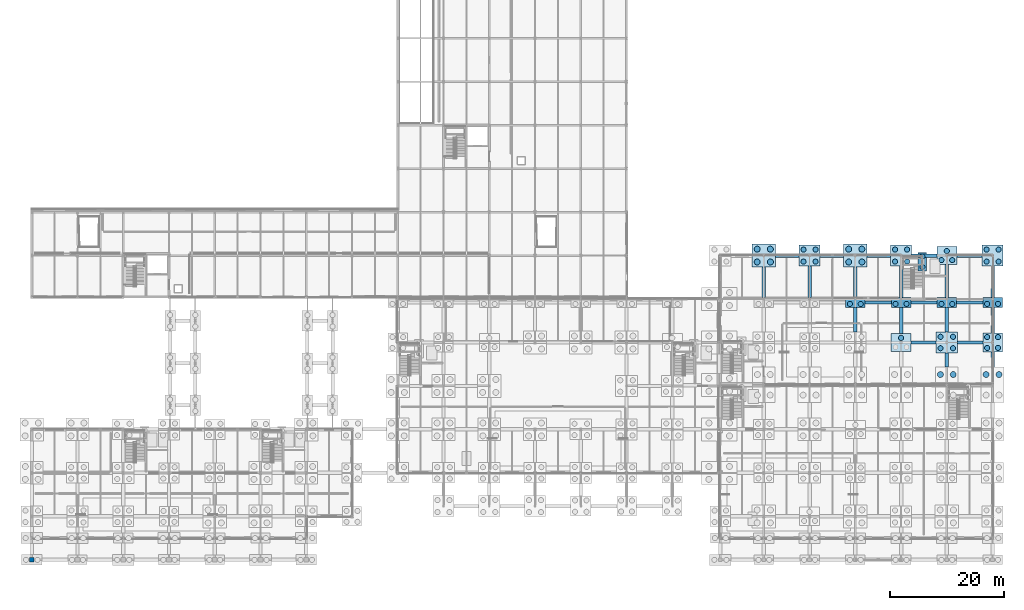
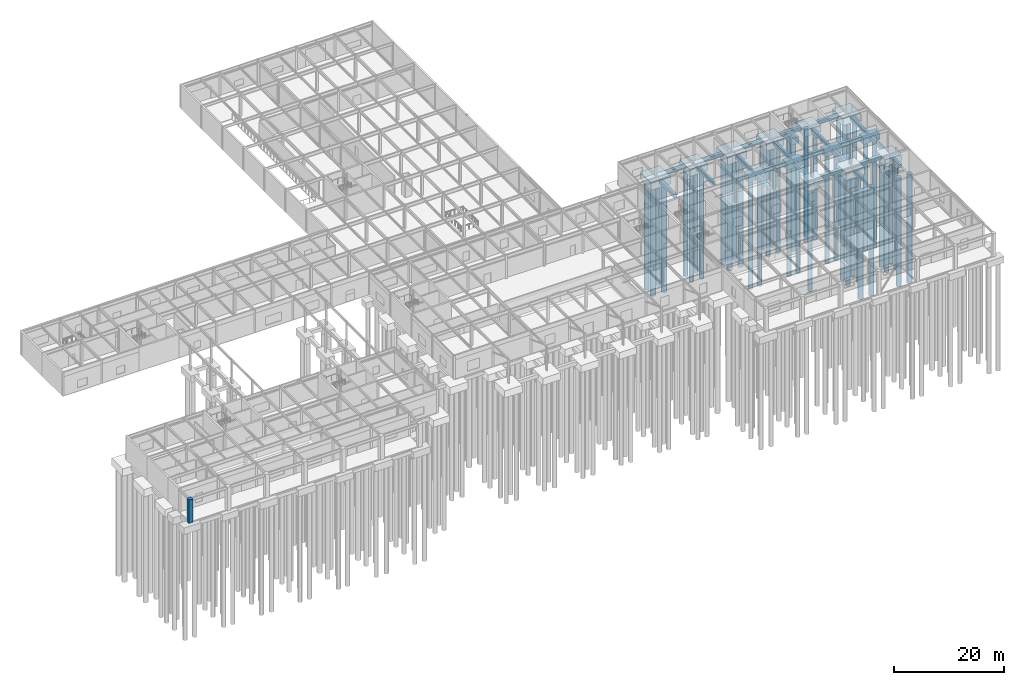
# One storey, part 7 of 62: 46 piles, 36 footings, 1 column.
"""IFC4 building model written with IfcOpenShell, lengths in metres."""

from ifc_helpers import new_model, si_unit, direction, frame, origin, origin_2d, place, context, subcontext, project, spatial, rectangle, circle, extrude, material, material_profile, profile_set, type_object, element, save


model = new_model("IFC4")

# Units and contexts
model_context = context("Model", 3, precision=1e-05, world=origin(), true_north=direction((0.0, 1.0)))
body_context = subcontext(model_context, "Body", "Model", "MODEL_VIEW")
ifc_project = project(units=[si_unit("LENGTHUNIT", "METRE"), si_unit("AREAUNIT", "SQUARE_METRE"), si_unit("VOLUMEUNIT", "CUBIC_METRE"), si_unit("PLANEANGLEUNIT", "RADIAN"), si_unit("MASSUNIT", "GRAM", prefix="KILO")], contexts=[model_context])

# Site, building, storey
site_placement = place(None, origin())
site = spatial("IfcSite", under=ifc_project, at=site_placement, CompositionType="ELEMENT")
building_placement = place(site_placement, origin())
building = spatial("IfcBuilding", under=site, at=building_placement, Name="Zulena Civic Courthouse", CompositionType="ELEMENT")
storey_placement = place(building_placement, origin())
storey = spatial("IfcBuildingStorey", under=building, at=storey_placement, Name="L00", CompositionType="ELEMENT", Elevation=0.0)

# Piles
ifc_material_1 = material(Name="Concrete C40/50", Category="concrete")
ifc_material_profile_1 = material_profile(ifc_material_1, circle(Radius=0.52490234375, at=origin_2d()), Name="PILE1050")
ifc_profile_set_1 = profile_set([ifc_material_profile_1], Name="Concrete C40/50")
pile_type_1 = type_object("IfcPileType", Name="BoredPile_1050", PredefinedType="BORED", material=ifc_profile_set_1)
for number, where, z_axis, x_axis, name in (
    (1, (130.85009765625, 52.074951171875, -1.780029296875), (0.0, 0.0, -1.0), (1.0, 0.0, 0.0), "pile:L00:107:1"),
    (2, (133.14990234375, 52.074951171875, -1.780029296875), (0.0, 0.0, -1.0), (1.0, 0.0, 0.0), "pile:L00:107:2"),
    (3, (130.85009765625, 54.324951171875, -1.780029296875), (0.0, 0.0, -1.0), (1.0, 0.0, 0.0), "pile:L00:107:3"),
    (4, (133.14990234375, 54.324951171875, -1.780029296875), (0.0, 0.0, -1.0), (1.0, 0.0, 0.0), "pile:L00:107:4"),
    (5, (146.85009765625, 52.074951171875, -1.780029296875), (0.0, 0.0, -1.0), (1.0, 0.0, 0.0), "pile:L00:125:1"),
    (6, (149.14990234375, 52.074951171875, -1.780029296875), (0.0, 0.0, -1.0), (1.0, 0.0, 0.0), "pile:L00:125:2"),
    (7, (146.85009765625, 54.324951171875, -1.780029296875), (0.0, 0.0, -1.0), (1.0, 0.0, 0.0), "pile:L00:125:3"),
    (8, (149.14990234375, 54.324951171875, -1.780029296875), (0.0, 0.0, -1.0), (1.0, 0.0, 0.0), "pile:L00:125:4"),
    (9, (162.875, 32.39990234375, -1.780029296875), (0.0, 0.0, -1.0), (1.0, 0.0, 0.0), "pile:L00:140:3"),
    (10, (165.125, 32.39990234375, -1.780029296875), (0.0, 0.0, -1.0), (1.0, 0.0, 0.0), "pile:L00:140:4"),
    (11, (170.875, 32.39990234375, -1.780029296875), (0.0, 0.0, -1.0), (1.0, 0.0, 0.0), "pile:L00:149:3"),
    (12, (173.125, 32.39990234375, -1.780029296875), (0.0, 0.0, -1.0), (1.0, 0.0, 0.0), "pile:L00:149:4"),
):
    element("IfcPile", number, at=place(storey_placement, frame(where, z_axis=z_axis, x_axis=x_axis)), inside=storey, type_object=pile_type_1, Name=name, PredefinedType="BORED", context=body_context, shape_type="SweptSolid", body=[
        extrude(circle(Radius=0.52490234375, at=origin_2d()), origin(), (0.0, 0.0, 1.0), 24.0),
    ])
ifc_material_profile_2 = material_profile(ifc_material_1, circle(Radius=0.449951171875, at=origin_2d()), Name="PILE900")
ifc_profile_set_2 = profile_set([ifc_material_profile_2], Name="Concrete C40/50")
pile_type_2 = type_object("IfcPileType", Name="BoredPile_900", PredefinedType="BORED", material=ifc_profile_set_2)
for number, where, z_axis, x_axis, name in (
    (13, (138.949951171875, 52.14990234375, -1.679931640625), (0.0, 0.0, -1.0), (1.0, 0.0, 0.0), "pile:L00:116:1"),
    (14, (141.050048828125, 52.14990234375, -1.679931640625), (0.0, 0.0, -1.0), (1.0, 0.0, 0.0), "pile:L00:116:2"),
    (15, (138.949951171875, 54.25, -1.679931640625), (0.0, 0.0, -1.0), (1.0, 0.0, 0.0), "pile:L00:116:3"),
    (16, (141.050048828125, 54.25, -1.679931640625), (0.0, 0.0, -1.0), (1.0, 0.0, 0.0), "pile:L00:116:4"),
    (17, (147.050048828125, 44.75, -1.530029296875), (0.0, 0.0, -1.0), (1.0, 0.0, 0.0), "pile:L00:124:1"),
    (18, (148.949951171875, 44.75, -1.530029296875), (0.0, 0.0, -1.0), (1.0, 0.0, 0.0), "pile:L00:124:2"),
    (19, (156.0, 38.800048828125, -1.580078125), (0.0, 0.0, -1.0), (1.0, 0.0, 0.0), "pile:L00:132:3"),
    (20, (155.050048828125, 44.75, -1.530029296875), (0.0, 0.0, -1.0), (1.0, 0.0, 0.0), "pile:L00:133:1"),
    (21, (156.949951171875, 44.75, -1.530029296875), (0.0, 0.0, -1.0), (1.0, 0.0, 0.0), "pile:L00:133:2"),
    (22, (154.949951171875, 52.14990234375, -1.679931640625), (0.0, 0.0, -1.0), (1.0, 0.0, 0.0), "pile:L00:134:1"),
    (23, (157.050048828125, 52.14990234375, -1.679931640625), (0.0, 0.0, -1.0), (1.0, 0.0, 0.0), "pile:L00:134:2"),
    (24, (154.949951171875, 54.25, -1.679931640625), (0.0, 0.0, -1.0), (1.0, 0.0, 0.0), "pile:L00:134:3"),
    (25, (157.050048828125, 54.25, -1.679931640625), (0.0, 0.0, -1.0), (1.0, 0.0, 0.0), "pile:L00:134:4"),
    (26, (162.89990234375, 37.0, -1.72998046875), (0.0, 0.0, -1.0), (1.0, 0.0, 0.0), "pile:L00:141:1"),
    (27, (165.10009765625, 37.0, -1.72998046875), (0.0, 0.0, -1.0), (1.0, 0.0, 0.0), "pile:L00:141:2"),
    (28, (162.89990234375, 39.0, -1.72998046875), (0.0, 0.0, -1.0), (1.0, 0.0, 0.0), "pile:L00:141:3"),
    (29, (165.10009765625, 39.0, -1.72998046875), (0.0, 0.0, -1.0), (1.0, 0.0, 0.0), "pile:L00:141:4"),
    (30, (163.050048828125, 44.75, -1.530029296875), (0.0, 0.0, -1.0), (1.0, 0.0, 0.0), "pile:L00:142:1"),
    (31, (164.949951171875, 44.75, -1.530029296875), (0.0, 0.0, -1.0), (1.0, 0.0, 0.0), "pile:L00:142:2"),
    (32, (163.050048828125, 52.39990234375, -1.580078125), (0.0, 0.0, -1.0), (1.0, 0.0, 0.0), "pile:L00:143:1"),
    (33, (164.949951171875, 52.39990234375, -1.580078125), (0.0, 0.0, -1.0), (1.0, 0.0, 0.0), "pile:L00:143:2"),
    (34, (164.0, 54.0, -1.580078125), (0.0, 0.0, -1.0), (1.0, 0.0, 0.0), "pile:L00:143:3"),
    (35, (171.050048828125, 37.050048828125, -1.6298828125), (0.0, 0.0, -1.0), (1.0, 0.0, 0.0), "pile:L00:150:1"),
    (36, (172.949951171875, 37.050048828125, -1.6298828125), (0.0, 0.0, -1.0), (1.0, 0.0, 0.0), "pile:L00:150:2"),
    (37, (171.050048828125, 38.949951171875, -1.6298828125), (0.0, 0.0, -1.0), (1.0, 0.0, 0.0), "pile:L00:150:3"),
    (38, (172.949951171875, 38.949951171875, -1.6298828125), (0.0, 0.0, -1.0), (1.0, 0.0, 0.0), "pile:L00:150:4"),
    (39, (171.050048828125, 44.75, -1.530029296875), (0.0, 0.0, -1.0), (1.0, 0.0, 0.0), "pile:L00:151:1"),
    (40, (172.949951171875, 44.75, -1.530029296875), (0.0, 0.0, -1.0), (1.0, 0.0, 0.0), "pile:L00:151:2"),
    (41, (170.949951171875, 52.14990234375, -1.679931640625), (0.0, 0.0, -1.0), (1.0, 0.0, 0.0), "pile:L00:152:1"),
    (42, (173.050048828125, 52.14990234375, -1.679931640625), (0.0, 0.0, -1.0), (1.0, 0.0, 0.0), "pile:L00:152:2"),
    (43, (170.949951171875, 54.25, -1.679931640625), (0.0, 0.0, -1.0), (1.0, 0.0, 0.0), "pile:L00:152:3"),
    (44, (173.050048828125, 54.25, -1.679931640625), (0.0, 0.0, -1.0), (1.0, 0.0, 0.0), "pile:L00:152:4"),
    (45, (159.719970703125, 51.219970703125, -1.530029296875), (0.0, 0.0, -1.0), (1.0, 0.0, 0.0), "pile:stair:L00:06:1"),
    (46, (159.719970703125, 53.02001953125, -1.530029296875), (0.0, 0.0, -1.0), (1.0, 0.0, 0.0), "pile:stair:L00:06:2"),
):
    element("IfcPile", number, at=place(storey_placement, frame(where, z_axis=z_axis, x_axis=x_axis)), inside=storey, type_object=pile_type_2, Name=name, PredefinedType="BORED", context=body_context, shape_type="SweptSolid", body=[
        extrude(circle(Radius=0.449951171875, at=origin_2d()), origin(), (0.0, 0.0, 1.0), 24.0),
    ])

# Footings
ifc_material_2 = material(Name="Concrete C35/45", Category="concrete")
ifc_material_profile_3 = material_profile(ifc_material_2, rectangle(XDim=0.60009765625, YDim=0.800048828125, at=origin_2d()), Name="RC600X800")
ifc_profile_set_3 = profile_set([ifc_material_profile_3], Name="Concrete C35/45")
footing_type_1 = type_object("IfcFootingType", Name="GroundBeam_600x800", PredefinedType="FOOTING_BEAM", material=ifc_profile_set_3)
footing_1_placement = place(storey_placement, frame((157.75, 38.0, -0.6298828125), z_axis=(1.0, 0.0, 0.0), x_axis=(0.0, 1.0, 0.0)))
element("IfcFooting", 47, at=footing_1_placement, inside=storey, type_object=footing_type_1, Name="gbeam:X:L00:110", PredefinedType="FOOTING_BEAM", context=body_context, shape_type="SweptSolid", body=[
    extrude(rectangle(XDim=0.60009765625, YDim=0.800048828125, at=origin_2d()), origin(), (0.0, 0.0, 1.0), 4.35009765625),
])
footing_2_placement = place(storey_placement, frame((165.89990234375, 38.0, -0.6298828125), z_axis=(1.0, 0.0, 0.0), x_axis=(0.0, 1.0, 0.0)))
element("IfcFooting", 48, at=footing_2_placement, inside=storey, type_object=footing_type_1, Name="gbeam:X:L00:111", PredefinedType="FOOTING_BEAM", context=body_context, shape_type="SweptSolid", body=[
    extrude(rectangle(XDim=0.60009765625, YDim=0.800048828125, at=origin_2d()), origin(), (0.0, 0.0, 1.0), 4.400146484375),
])
for number, where, z_axis, x_axis, name in (
    (49, (149.699951171875, 45.0, -0.6298828125), (1.0, 0.0, 0.0), (0.0, 1.0, 0.0), "gbeam:X:L00:122"),
    (50, (157.699951171875, 45.0, -0.6298828125), (1.0, 0.0, 0.0), (0.0, 1.0, 0.0), "gbeam:X:L00:123"),
    (51, (165.699951171875, 45.0, -0.6298828125), (1.0, 0.0, 0.0), (0.0, 1.0, 0.0), "gbeam:X:L00:124"),
):
    element("IfcFooting", number, at=place(storey_placement, frame(where, z_axis=z_axis, x_axis=x_axis)), inside=storey, type_object=footing_type_1, Name=name, PredefinedType="FOOTING_BEAM", context=body_context, shape_type="SweptSolid", body=[
        extrude(rectangle(XDim=0.60009765625, YDim=0.800048828125, at=origin_2d()), origin(), (0.0, 0.0, 1.0), 4.60009765625),
    ])
for number, where, z_axis, x_axis, name in (
    (52, (134.050048828125, 53.199951171875, -0.6298828125), (1.0, 0.0, 0.0), (0.0, 1.0, 0.0), "gbeam:X:L00:126"),
    (53, (141.85009765625, 53.199951171875, -0.6298828125), (1.0, 0.0, 0.0), (0.0, 1.0, 0.0), "gbeam:X:L00:127"),
    (54, (150.050048828125, 53.199951171875, -0.6298828125), (1.0, 0.0, 0.0), (0.0, 1.0, 0.0), "gbeam:X:L00:128"),
):
    element("IfcFooting", number, at=place(storey_placement, frame(where, z_axis=z_axis, x_axis=x_axis)), inside=storey, type_object=footing_type_1, Name=name, PredefinedType="FOOTING_BEAM", context=body_context, shape_type="SweptSolid", body=[
        extrude(rectangle(XDim=0.60009765625, YDim=0.800048828125, at=origin_2d()), origin(), (0.0, 0.0, 1.0), 4.099853515625),
    ])
for number, where, z_axis, x_axis, name in (
    (55, (157.85009765625, 53.199951171875, -0.6298828125), (1.0, 0.0, 0.0), (0.0, 1.0, 0.0), "gbeam:X:L00:129"),
    (56, (165.75, 53.199951171875, -0.6298828125), (1.0, 0.0, 0.0), (0.0, 1.0, 0.0), "gbeam:X:L00:130"),
):
    element("IfcFooting", number, at=place(storey_placement, frame(where, z_axis=z_axis, x_axis=x_axis)), inside=storey, type_object=footing_type_1, Name=name, PredefinedType="FOOTING_BEAM", context=body_context, shape_type="SweptSolid", body=[
        extrude(rectangle(XDim=0.60009765625, YDim=0.800048828125, at=origin_2d()), origin(), (0.0, 0.0, 1.0), 4.39990234375),
    ])
footing_3_placement = place(storey_placement, frame((132.0, 45.85009765625, -0.6298828125), z_axis=(0.0, 1.0, 0.0), x_axis=(-1.0, 0.0, 0.0)))
element("IfcFooting", 57, at=footing_3_placement, inside=storey, type_object=footing_type_1, Name="gbeam:Y:L00:210", PredefinedType="FOOTING_BEAM", context=body_context, shape_type="SweptSolid", body=[
    extrude(rectangle(XDim=0.60009765625, YDim=0.800048828125, at=origin_2d()), origin(), (0.0, 0.0, 1.0), 5.349853515625),
])
footing_4_placement = place(storey_placement, frame((140.0, 45.85009765625, -0.6298828125), z_axis=(0.0, 1.0, 0.0), x_axis=(-1.0, 0.0, 0.0)))
element("IfcFooting", 58, at=footing_4_placement, inside=storey, type_object=footing_type_1, Name="gbeam:Y:L00:218", PredefinedType="FOOTING_BEAM", context=body_context, shape_type="SweptSolid", body=[
    extrude(rectangle(XDim=0.60009765625, YDim=0.800048828125, at=origin_2d()), origin(), (0.0, 0.0, 1.0), 5.5),
])
footing_5_placement = place(storey_placement, frame((148.0, 39.800048828125, -0.6298828125), z_axis=(0.0, 1.0, 0.0), x_axis=(-1.0, 0.0, 0.0)))
element("IfcFooting", 59, at=footing_5_placement, inside=storey, type_object=footing_type_1, Name="gbeam:Y:L00:224", PredefinedType="FOOTING_BEAM", context=body_context, shape_type="SweptSolid", body=[
    extrude(rectangle(XDim=0.60009765625, YDim=0.800048828125, at=origin_2d()), origin(), (0.0, 0.0, 1.0), 4.349853515625),
])
footing_6_placement = place(storey_placement, frame((148.0, 45.85009765625, -0.6298828125), z_axis=(0.0, 1.0, 0.0), x_axis=(-1.0, 0.0, 0.0)))
element("IfcFooting", 60, at=footing_6_placement, inside=storey, type_object=footing_type_1, Name="gbeam:Y:L00:225", PredefinedType="FOOTING_BEAM", context=body_context, shape_type="SweptSolid", body=[
    extrude(rectangle(XDim=0.60009765625, YDim=0.800048828125, at=origin_2d()), origin(), (0.0, 0.0, 1.0), 5.349853515625),
])
footing_7_placement = place(storey_placement, frame((156.0, 39.60009765625, -0.6298828125), z_axis=(0.0, 1.0, 0.0), x_axis=(-1.0, 0.0, 0.0)))
element("IfcFooting", 61, at=footing_7_placement, inside=storey, type_object=footing_type_1, Name="gbeam:Y:L00:232", PredefinedType="FOOTING_BEAM", context=body_context, shape_type="SweptSolid", body=[
    extrude(rectangle(XDim=0.60009765625, YDim=0.800048828125, at=origin_2d()), origin(), (0.0, 0.0, 1.0), 4.5498046875),
])
footing_8_placement = place(storey_placement, frame((156.0, 45.85009765625, -0.6298828125), z_axis=(0.0, 1.0, 0.0), x_axis=(-1.0, 0.0, 0.0)))
element("IfcFooting", 62, at=footing_8_placement, inside=storey, type_object=footing_type_1, Name="gbeam:Y:L00:233", PredefinedType="FOOTING_BEAM", context=body_context, shape_type="SweptSolid", body=[
    extrude(rectangle(XDim=0.60009765625, YDim=0.800048828125, at=origin_2d()), origin(), (0.0, 0.0, 1.0), 5.5),
])
footing_9_placement = place(storey_placement, frame((164.0, 33.699951171875, -0.6298828125), z_axis=(0.0, 1.0, 0.0), x_axis=(-1.0, 0.0, 0.0)))
element("IfcFooting", 63, at=footing_9_placement, inside=storey, type_object=footing_type_1, Name="gbeam:Y:L00:238", PredefinedType="FOOTING_BEAM", context=body_context, shape_type="SweptSolid", body=[
    extrude(rectangle(XDim=0.60009765625, YDim=0.800048828125, at=origin_2d()), origin(), (0.0, 0.0, 1.0), 2.5),
])
footing_10_placement = place(storey_placement, frame((164.0, 39.800048828125, -0.6298828125), z_axis=(0.0, 1.0, 0.0), x_axis=(-1.0, 0.0, 0.0)))
element("IfcFooting", 64, at=footing_10_placement, inside=storey, type_object=footing_type_1, Name="gbeam:Y:L00:239", PredefinedType="FOOTING_BEAM", context=body_context, shape_type="SweptSolid", body=[
    extrude(rectangle(XDim=0.60009765625, YDim=0.800048828125, at=origin_2d()), origin(), (0.0, 0.0, 1.0), 4.349853515625),
])
footing_11_placement = place(storey_placement, frame((164.0, 45.85009765625, -0.6298828125), z_axis=(0.0, 1.0, 0.0), x_axis=(-1.0, 0.0, 0.0)))
element("IfcFooting", 65, at=footing_11_placement, inside=storey, type_object=footing_type_1, Name="gbeam:Y:L00:240", PredefinedType="FOOTING_BEAM", context=body_context, shape_type="SweptSolid", body=[
    extrude(rectangle(XDim=0.60009765625, YDim=0.800048828125, at=origin_2d()), origin(), (0.0, 0.0, 1.0), 5.75),
])
footing_12_placement = place(storey_placement, frame((172.0, 33.699951171875, -0.6298828125), z_axis=(0.0, 1.0, 0.0), x_axis=(-1.0, 0.0, 0.0)))
element("IfcFooting", 66, at=footing_12_placement, inside=storey, type_object=footing_type_1, Name="gbeam:Y:L00:246", PredefinedType="FOOTING_BEAM", context=body_context, shape_type="SweptSolid", body=[
    extrude(rectangle(XDim=0.60009765625, YDim=0.800048828125, at=origin_2d()), origin(), (0.0, 0.0, 1.0), 2.60009765625),
])
footing_13_placement = place(storey_placement, frame((172.0, 39.699951171875, -0.6298828125), z_axis=(0.0, 1.0, 0.0), x_axis=(-1.0, 0.0, 0.0)))
element("IfcFooting", 67, at=footing_13_placement, inside=storey, type_object=footing_type_1, Name="gbeam:Y:L00:247", PredefinedType="FOOTING_BEAM", context=body_context, shape_type="SweptSolid", body=[
    extrude(rectangle(XDim=0.60009765625, YDim=0.800048828125, at=origin_2d()), origin(), (0.0, 0.0, 1.0), 4.449951171875),
])
footing_14_placement = place(storey_placement, frame((172.0, 45.85009765625, -0.6298828125), z_axis=(0.0, 1.0, 0.0), x_axis=(-1.0, 0.0, 0.0)))
element("IfcFooting", 68, at=footing_14_placement, inside=storey, type_object=footing_type_1, Name="gbeam:Y:L00:248", PredefinedType="FOOTING_BEAM", context=body_context, shape_type="SweptSolid", body=[
    extrude(rectangle(XDim=0.60009765625, YDim=0.800048828125, at=origin_2d()), origin(), (0.0, 0.0, 1.0), 5.5),
])
footing_type_2 = type_object("IfcFootingType", Name="PileCap_2P_1500x3200", PredefinedType="PILE_CAP", material=ifc_material_1)
footing_15_placement = place(storey_placement, frame((159.719970703125, 52.1201171875, -1.6298828125), z_axis=(0.0, 0.0, 1.0), x_axis=(1.0, 0.0, 0.0)))
element("IfcFooting", 69, at=footing_15_placement, inside=storey, type_object=footing_type_2, Name="cap:stair:L00:06", PredefinedType="PILE_CAP", context=body_context, shape_type="SweptSolid", body=[
    extrude(rectangle(XDim=1.5, YDim=3.199951171875, at=origin_2d()), origin(), (0.0, 0.0, 1.0), 1.39990234375),
])
footing_type_3 = type_object("IfcFootingType", Name="PileCap_2P_3400x1700", PredefinedType="PILE_CAP", material=ifc_material_1)
for number, where, z_axis, x_axis, name in (
    (70, (148.0, 45.0, -1.6298828125), (0.0, 0.0, 1.0), (1.0, 0.0, 0.0), "cap:L00:124"),
    (71, (156.0, 45.0, -1.6298828125), (0.0, 0.0, 1.0), (1.0, 0.0, 0.0), "cap:L00:133"),
    (72, (164.0, 45.0, -1.6298828125), (0.0, 0.0, 1.0), (1.0, 0.0, 0.0), "cap:L00:142"),
    (73, (172.0, 45.0, -1.6298828125), (0.0, 0.0, 1.0), (1.0, 0.0, 0.0), "cap:L00:151"),
):
    element("IfcFooting", number, at=place(storey_placement, frame(where, z_axis=z_axis, x_axis=x_axis)), inside=storey, type_object=footing_type_3, Name=name, PredefinedType="PILE_CAP", context=body_context, shape_type="SweptSolid", body=[
        extrude(rectangle(XDim=3.39990234375, YDim=1.699951171875, at=origin_2d()), origin(), (0.0, 0.0, 1.0), 1.39990234375),
    ])
footing_type_4 = type_object("IfcFootingType", Name="PileCap_3P_3500x3200", PredefinedType="PILE_CAP", material=ifc_material_1)
for number, where, z_axis, x_axis, name in (
    (74, (156.0, 38.0, -1.68017578125), (0.0, 0.0, 1.0), (1.0, 0.0, 0.0), "cap:L00:132"),
    (75, (164.0, 53.199951171875, -1.68017578125), (0.0, 0.0, 1.0), (1.0, 0.0, 0.0), "cap:L00:143"),
):
    element("IfcFooting", number, at=place(storey_placement, frame(where, z_axis=z_axis, x_axis=x_axis)), inside=storey, type_object=footing_type_4, Name=name, PredefinedType="PILE_CAP", context=body_context, shape_type="SweptSolid", body=[
        extrude(rectangle(XDim=3.5, YDim=3.199951171875, at=origin_2d()), origin(), (0.0, 0.0, 1.0), 1.449951171875),
    ])
footing_type_5 = type_object("IfcFootingType", Name="PileCap_4P_3400x3400", PredefinedType="PILE_CAP", material=ifc_material_1)
footing_16_placement = place(storey_placement, frame((172.0, 38.0, -1.72998046875), z_axis=(0.0, 0.0, 1.0), x_axis=(1.0, 0.0, 0.0)))
element("IfcFooting", 76, at=footing_16_placement, inside=storey, type_object=footing_type_5, Name="cap:L00:150", PredefinedType="PILE_CAP", context=body_context, shape_type="SweptSolid", body=[
    extrude(rectangle(XDim=3.39990234375, YDim=3.39990234375, at=origin_2d()), origin(), (0.0, 0.0, 1.0), 1.5),
])
footing_type_6 = type_object("IfcFootingType", Name="PileCap_4P_3700x3700", PredefinedType="PILE_CAP", material=ifc_material_1)
for number, where, z_axis, x_axis, name in (
    (77, (140.0, 53.199951171875, -1.77978515625), (0.0, 0.0, 1.0), (1.0, 0.0, 0.0), "cap:L00:116"),
    (78, (156.0, 53.199951171875, -1.77978515625), (0.0, 0.0, 1.0), (1.0, 0.0, 0.0), "cap:L00:134"),
    (79, (172.0, 53.199951171875, -1.77978515625), (0.0, 0.0, 1.0), (1.0, 0.0, 0.0), "cap:L00:152"),
):
    element("IfcFooting", number, at=place(storey_placement, frame(where, z_axis=z_axis, x_axis=x_axis)), inside=storey, type_object=footing_type_6, Name=name, PredefinedType="PILE_CAP", context=body_context, shape_type="SweptSolid", body=[
        extrude(rectangle(XDim=3.699951171875, YDim=3.699951171875, at=origin_2d()), origin(), (0.0, 0.0, 1.0), 1.550048828125),
    ])
footing_type_7 = type_object("IfcFootingType", Name="PileCap_4P_3800x3600", PredefinedType="PILE_CAP", material=ifc_material_1)
footing_17_placement = place(storey_placement, frame((164.0, 38.0, -1.830078125), z_axis=(0.0, 0.0, 1.0), x_axis=(1.0, 0.0, 0.0)))
element("IfcFooting", 80, at=footing_17_placement, inside=storey, type_object=footing_type_7, Name="cap:L00:141", PredefinedType="PILE_CAP", context=body_context, shape_type="SweptSolid", body=[
    extrude(rectangle(XDim=3.800048828125, YDim=3.60009765625, at=origin_2d()), origin(), (0.0, 0.0, 1.0), 1.60009765625),
])
footing_type_8 = type_object("IfcFootingType", Name="PileCap_4P_4100x4000", PredefinedType="PILE_CAP", material=ifc_material_1)
for number, where, z_axis, x_axis, name in (
    (81, (132.0, 53.199951171875, -1.8798828125), (0.0, 0.0, 1.0), (1.0, 0.0, 0.0), "cap:L00:107"),
    (82, (148.0, 53.199951171875, -1.8798828125), (0.0, 0.0, 1.0), (1.0, 0.0, 0.0), "cap:L00:125"),
):
    element("IfcFooting", number, at=place(storey_placement, frame(where, z_axis=z_axis, x_axis=x_axis)), inside=storey, type_object=footing_type_8, Name=name, PredefinedType="PILE_CAP", context=body_context, shape_type="SweptSolid", body=[
        extrude(rectangle(XDim=4.10009765625, YDim=4.0, at=origin_2d()), origin(), (0.0, 0.0, 1.0), 1.64990234375),
    ])

# Column
ifc_material_profile_4 = material_profile(ifc_material_1, rectangle(XDim=0.800048828125, YDim=0.800048828125, at=origin_2d()), Name="RC800X800")
ifc_profile_set_4 = profile_set([ifc_material_profile_4], Name="Concrete C40/50")
column_type = type_object("IfcColumnType", Name="Col_RC800", PredefinedType="COLUMN", material=ifc_profile_set_4)
column_placement = place(storey_placement, frame((4.0, 0.0, 0.0), z_axis=(0.0, 0.0, 1.0), x_axis=(1.0, 0.0, 0.0)))
element("IfcColumn", 83, at=column_placement, inside=storey, type_object=column_type, Name="col:V2:L00:arc:4.0", PredefinedType="COLUMN", context=body_context, shape_type="SweptSolid", body=[
    extrude(rectangle(XDim=0.800048828125, YDim=0.800048828125, at=origin_2d()), origin(), (0.0, 0.0, 1.0), 5.18505859375),
])

save(model, "model.ifc")
